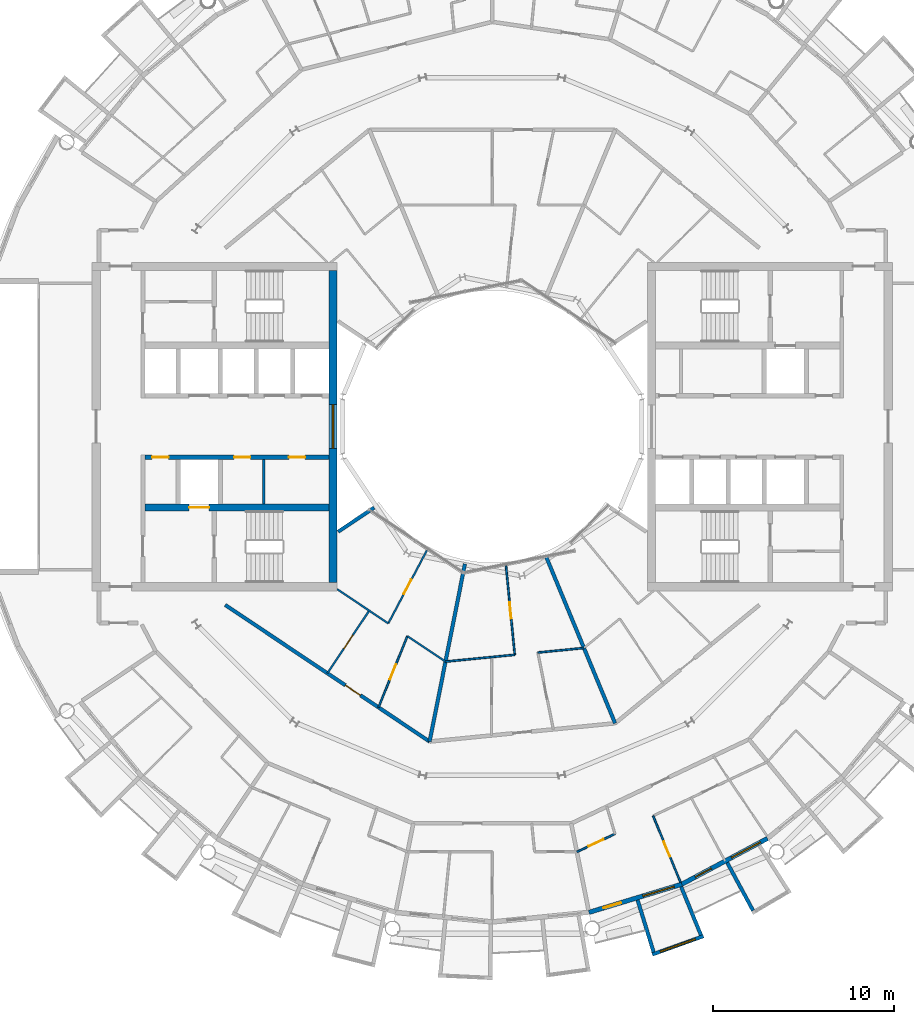
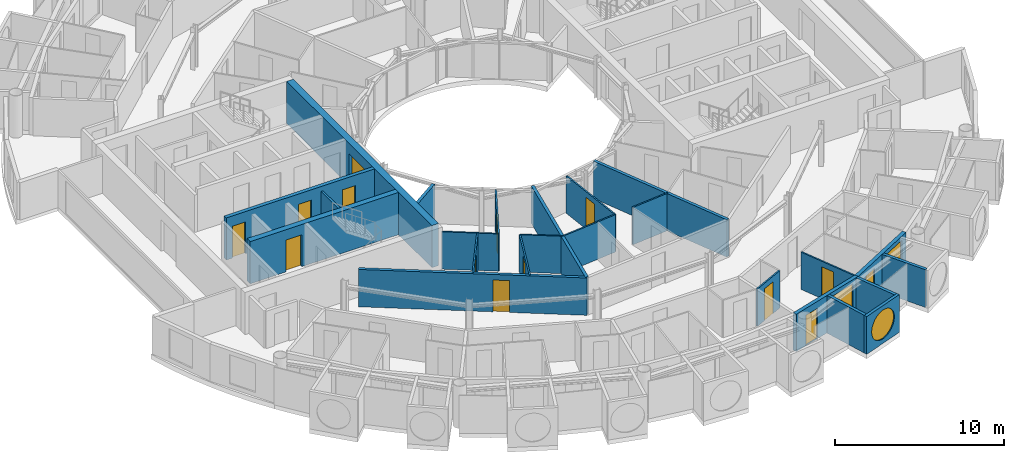
# One storey, part 17 of 29: 24 walls, 13 doors, 4 windows, 17 openings.
"""IFC4 building model written with IfcOpenShell, lengths in metres."""

from ifc_helpers import new_model, si_unit, direction, frame, frame_2d, origin, place, context, subcontext, project, spatial, rectangle, circle, extrude, material, layer, layer_set, type_object, element, fill, save


model = new_model("IFC4")

# Units and contexts
model_context = context("Model", 3, precision=1e-05, world=origin(), true_north=direction((0.0, 1.0)))
body_context = subcontext(model_context, "Body", "Model", "MODEL_VIEW")
ifc_project = project(units=[si_unit("LENGTHUNIT", "METRE"), si_unit("AREAUNIT", "SQUARE_METRE"), si_unit("VOLUMEUNIT", "CUBIC_METRE"), si_unit("PLANEANGLEUNIT", "RADIAN"), si_unit("MASSUNIT", "GRAM", prefix="KILO")], contexts=[model_context])

# Site, building, storey
site_placement = place(None, origin())
site = spatial("IfcSite", under=ifc_project, at=site_placement, CompositionType="ELEMENT")
building_placement = place(site_placement, origin())
building = spatial("IfcBuilding", under=site, at=building_placement, Name="Maasbend Ring Residences", CompositionType="ELEMENT")
storey_placement = place(building_placement, frame((0.0, 0.0, 215.75)))
storey = spatial("IfcBuildingStorey", under=building, at=storey_placement, Name="L62", CompositionType="ELEMENT", Elevation=215.75)

# Wall, openings, doors
ifc_material_1 = material(Name="Concrete C50/60", Category="concrete")
ifc_layer_1 = layer(ifc_material_1, 0.25)
ifc_layer_set_1 = layer_set([ifc_layer_1], Name="Concrete C50/60")
wall_type_1 = type_object("IfcWallType", Name="CORE WALL 250 C50/60", PredefinedType="SHEAR", material=ifc_layer_set_1)
wall_1_placement = place(storey_placement, frame((-9.0, -1.699951171875, 0.0), z_axis=(0.0, 0.0, 1.0), x_axis=(-1.0, 0.0, 0.0)))
wall_1 = element("IfcWall", 1, at=wall_1_placement, inside=storey, type_object=wall_type_1, Name="L62 core W wall SPN", PredefinedType="SHEAR", context=body_context, shape_type="SweptSolid", body=[
    extrude(rectangle(XDim=10.14990234375, YDim=0.25, at=frame_2d((5.074951171875, 0.0))), origin(), (0.0, 0.0, 1.0), 3.050048828125),
])
opening_1_placement = place(wall_1_placement, frame((1.3125, 0.0, 0.0)))
opening_1 = element("IfcOpeningElement", 2, at=opening_1_placement, cuts=wall_1, Name="Opening D-W6206", PredefinedType="OPENING", context=body_context, shape_type="SweptSolid", body=[
    extrude(rectangle(XDim=0.89990234375, YDim=2.300048828125, at=frame_2d((0.449951171875, 1.14990234375))), frame((0.0, 0.135009765625, 0.0), z_axis=(0.0, -1.0, 0.0), x_axis=(1.0, 0.0, 0.0)), (0.0, 0.0, 1.0), 0.27001953125),
])
opening_2_placement = place(wall_1_placement, frame((4.324951171875, 0.0, 0.0)))
opening_2 = element("IfcOpeningElement", 3, at=opening_2_placement, cuts=wall_1, Name="Opening D-W6207", PredefinedType="OPENING", context=body_context, shape_type="SweptSolid", body=[
    extrude(rectangle(XDim=0.89990234375, YDim=2.300048828125, at=frame_2d((0.449951171875, 1.14990234375))), frame((0.0, 0.135009765625, 0.0), z_axis=(0.0, -1.0, 0.0), x_axis=(1.0, 0.0, 0.0)), (0.0, 0.0, 1.0), 0.27001953125),
])
opening_3_placement = place(wall_1_placement, frame((8.83740234375, 0.0, 0.0)))
opening_3 = element("IfcOpeningElement", 4, at=opening_3_placement, cuts=wall_1, Name="Opening D-W6208", PredefinedType="OPENING", context=body_context, shape_type="SweptSolid", body=[
    extrude(rectangle(XDim=0.89990234375, YDim=2.300048828125, at=frame_2d((0.449951171875, 1.14990234375))), frame((0.0, 0.135009765625, 0.0), z_axis=(0.0, -1.0, 0.0), x_axis=(1.0, 0.0, 0.0)), (0.0, 0.0, 1.0), 0.27001953125),
])
ifc_material_2 = material(Name="Steel, powder coated", Category="steel")
door_type_1 = type_object("IfcDoorType", Name="ROOM DOOR 900 X 2300 FD30S", OperationType="NOTDEFINED", PredefinedType="DOOR", material=ifc_material_2)
door_1_placement = place(opening_1_placement, origin())
door_1 = element("IfcDoor", 5, at=door_1_placement, inside=storey, type_object=door_type_1, Name="Room door L62", OperationType="SINGLE_SWING_RIGHT", OverallHeight=2.300048828125, OverallWidth=0.89990234375, PredefinedType="DOOR", context=body_context, shape_type="SweptSolid", body=[
    extrude(rectangle(XDim=0.89990234375, YDim=2.300048828125, at=frame_2d((0.449951171875, 1.14990234375))), frame((0.0, 0.02490234375, 0.0), z_axis=(0.0, -1.0, 0.0), x_axis=(1.0, 0.0, 0.0)), (0.0, 0.0, 1.0), 0.050048828125),
])
fill(opening_1, door_1)
door_2_placement = place(opening_2_placement, origin())
door_2 = element("IfcDoor", 6, at=door_2_placement, inside=storey, type_object=door_type_1, Name="Room door L62", OperationType="SINGLE_SWING_RIGHT", OverallHeight=2.300048828125, OverallWidth=0.89990234375, PredefinedType="DOOR", context=body_context, shape_type="SweptSolid", body=[
    extrude(rectangle(XDim=0.89990234375, YDim=2.300048828125, at=frame_2d((0.449951171875, 1.14990234375))), frame((0.0, 0.02490234375, 0.0), z_axis=(0.0, -1.0, 0.0), x_axis=(1.0, 0.0, 0.0)), (0.0, 0.0, 1.0), 0.050048828125),
])
fill(opening_2, door_2)
door_3_placement = place(opening_3_placement, origin())
door_3 = element("IfcDoor", 7, at=door_3_placement, inside=storey, type_object=door_type_1, Name="Room door L62", OperationType="SINGLE_SWING_LEFT", OverallHeight=2.300048828125, OverallWidth=0.89990234375, PredefinedType="DOOR", context=body_context, shape_type="SweptSolid", body=[
    extrude(rectangle(XDim=0.89990234375, YDim=2.300048828125, at=frame_2d((0.449951171875, 1.14990234375))), frame((0.0, 0.02490234375, 0.0), z_axis=(0.0, -1.0, 0.0), x_axis=(1.0, 0.0, 0.0)), (0.0, 0.0, 1.0), 0.050048828125),
])
fill(opening_3, door_3)

# Wall, opening, door
ifc_material_3 = material(Name="Concrete C50/60", Category="concrete")
ifc_layer_2 = layer(ifc_material_3, 0.375)
ifc_layer_set_2 = layer_set([ifc_layer_2], Name="Concrete C50/60")
wall_type_2 = type_object("IfcWallType", Name="CORE WALL 375 C50/60", PredefinedType="SHEAR", material=ifc_layer_set_2)
wall_2_placement = place(storey_placement, frame((-9.0, -4.46240234375, 0.0), z_axis=(0.0, 0.0, 1.0), x_axis=(-1.0, 0.0, 0.0)))
wall_2 = element("IfcWall", 8, at=wall_2_placement, inside=storey, type_object=wall_type_2, Name="L62 core W wall BN", PredefinedType="SHEAR", context=body_context, shape_type="SweptSolid", body=[
    extrude(rectangle(XDim=10.14990234375, YDim=0.375, at=frame_2d((5.074951171875, 0.0))), origin(), (0.0, 0.0, 1.0), 3.050048828125),
])
opening_4_placement = place(wall_2_placement, frame((6.60009765625, 0.0, 0.0)))
opening_4 = element("IfcOpeningElement", 9, at=opening_4_placement, cuts=wall_2, Name="Opening LD-W6201", PredefinedType="OPENING", context=body_context, shape_type="SweptSolid", body=[
    extrude(rectangle(XDim=1.10009765625, YDim=2.300048828125, at=frame_2d((0.550048828125, 1.14990234375))), frame((0.0, 0.197509765625, 0.0), z_axis=(0.0, -1.0, 0.0), x_axis=(1.0, 0.0, 0.0)), (0.0, 0.0, 1.0), 0.39501953125),
])
ifc_material_4 = material(Name="Stainless steel 316", Category="steel")
door_type_2 = type_object("IfcDoorType", Name="LANDING DOOR 1100 X 2300 FD60", OperationType="DOUBLE_DOOR_SLIDING", PredefinedType="DOOR", material=ifc_material_4)
door_4_placement = place(opening_4_placement, origin())
door_4 = element("IfcDoor", 10, at=door_4_placement, inside=storey, type_object=door_type_2, Name="Landing door FF-W L62", OperationType="DOUBLE_DOOR_SLIDING", OverallHeight=2.300048828125, OverallWidth=1.10009765625, PredefinedType="DOOR", context=body_context, shape_type="SweptSolid", body=[
    extrude(rectangle(XDim=1.10009765625, YDim=2.300048828125, at=frame_2d((0.550048828125, 1.14990234375))), frame((0.0, 0.02490234375, 0.0), z_axis=(0.0, -1.0, 0.0), x_axis=(1.0, 0.0, 0.0)), (0.0, 0.0, 1.0), 0.050048828125),
])
fill(opening_4, door_4)

# Wall, opening, window
ifc_material_5 = material(Name="Concrete C50/60", Category="concrete")
ifc_layer_3 = layer(ifc_material_5, 0.449951171875)
ifc_layer_set_3 = layer_set([ifc_layer_3], Name="Concrete C50/60")
wall_type_3 = type_object("IfcWallType", Name="CORE WALL 450 C50/60", PredefinedType="SHEAR", material=ifc_layer_set_3)
wall_3_placement = place(storey_placement, frame((-8.77490234375, 8.60009765625, 0.0), z_axis=(0.0, 0.0, 1.0), x_axis=(0.0, -1.0, 0.0)))
wall_3 = element("IfcWall", 11, at=wall_3_placement, inside=storey, type_object=wall_type_3, Name="L62 core W wall PIN", PredefinedType="SHEAR", context=body_context, shape_type="SweptSolid", body=[
    extrude(rectangle(XDim=17.2001953125, YDim=0.449951171875, at=frame_2d((8.60009765625, 0.0))), origin(), (0.0, 0.0, 1.0), 3.050048828125),
])
opening_5_placement = place(wall_3_placement, frame((7.39990234375, 0.0, 0.10009765625)))
opening_5 = element("IfcOpeningElement", 12, at=opening_5_placement, cuts=wall_3, Name="Opening W-W6201", PredefinedType="OPENING", context=body_context, shape_type="SweptSolid", body=[
    extrude(rectangle(XDim=2.39990234375, YDim=2.199951171875, at=frame_2d((1.199951171875, 1.10009765625))), frame((0.0, 0.23486328125, 0.0), z_axis=(0.0, -1.0, 0.0), x_axis=(1.0, 0.0, 0.0)), (0.0, 0.0, 1.0), 0.469970703125),
])
ifc_material_6 = material(Name="Aluminium frame and clear glass", Category="aluminium")
window_type_1 = type_object("IfcWindowType", Name="FIXED WINDOW 2400 X 2200", PartitioningType="SINGLE_PANEL", PredefinedType="WINDOW", material=ifc_material_6)
window_1_placement = place(opening_5_placement, origin())
window_1 = element("IfcWindow", 13, at=window_1_placement, inside=storey, type_object=window_type_1, Name="Lobby window L62", OverallHeight=2.199951171875, OverallWidth=2.39990234375, PartitioningType="SINGLE_PANEL", PredefinedType="WINDOW", context=body_context, shape_type="SweptSolid", body=[
    extrude(rectangle(XDim=2.39990234375, YDim=2.199951171875, at=frame_2d((1.199951171875, 1.10009765625))), frame((0.0, 0.030029296875, 0.0), z_axis=(0.0, -1.0, 0.0), x_axis=(1.0, 0.0, 0.0)), (0.0, 0.0, 1.0), 0.06005859375),
])
fill(opening_5, window_1)

# Wall, opening, door
ifc_material_7 = material(Name="Concrete C30/37", Category="concrete")
ifc_layer_4 = layer(ifc_material_7, 0.199951171875)
ifc_layer_set_4 = layer_set([ifc_layer_4], Name="Concrete C30/37")
wall_type_4 = type_object("IfcWallType", Name="CORRIDOR WALL 200 CONCRETE", PredefinedType="PARTITIONING", material=ifc_layer_set_4)
wall_4_placement = place(storey_placement, frame((-14.717041015625, -9.833984375, 0.0), z_axis=(0.0, 0.0, 1.0), x_axis=(0.831492679744, -0.555535708603, 0.0)))
wall_4 = element("IfcWall", 14, at=wall_4_placement, inside=storey, type_object=wall_type_4, Name="U-L62-w022", PredefinedType="PARTITIONING", context=body_context, shape_type="SweptSolid", body=[
    extrude(rectangle(XDim=13.54931640625, YDim=0.199951171875, at=frame_2d((6.774658203125, 0.0))), origin(), (0.0, 0.0, 1.0), 2.699951171875),
])
opening_6_placement = place(wall_4_placement, frame((7.966064453125, 0.0, 0.0)))
opening_6 = element("IfcOpeningElement", 15, at=opening_6_placement, cuts=wall_4, Name="Opening D-6256", PredefinedType="OPENING", context=body_context, shape_type="SweptSolid", body=[
    extrude(rectangle(XDim=1.0, YDim=2.300048828125, at=frame_2d((0.5, 1.14990234375))), frame((0.0, 0.10986328125, 0.0), z_axis=(0.0, -1.0, 0.0), x_axis=(1.0, 0.0, 0.0)), (0.0, 0.0, 1.0), 0.219970703125),
])
ifc_material_8 = material(Name="Timber, fire-rated, painted", Category="wood")
door_type_3 = type_object("IfcDoorType", Name="FLAT ENTRANCE DOOR 1000 X 2300 FIRE-RATED", OperationType="NOTDEFINED", PredefinedType="DOOR", material=ifc_material_8)
door_5_placement = place(opening_6_placement, origin())
door_5 = element("IfcDoor", 16, at=door_5_placement, inside=storey, type_object=door_type_3, Name="D-6256", OperationType="SINGLE_SWING_RIGHT", OverallHeight=2.300048828125, OverallWidth=1.0, PredefinedType="DOOR", context=body_context, shape_type="SweptSolid", body=[
    extrude(rectangle(XDim=1.0, YDim=2.300048828125, at=frame_2d((0.5, 1.14990234375))), frame((0.0, 0.02490234375, 0.0), z_axis=(0.0, -1.0, 0.0), x_axis=(1.0, 0.0, 0.0)), (0.0, 0.0, 1.0), 0.050048828125),
])
fill(opening_6, door_5)

# Wall, opening, window
ifc_material_9 = material(Name="Pale anodised aluminium panel", Category="aluminium")
ifc_layer_5 = layer(ifc_material_9, 0.199951171875)
ifc_layer_set_5 = layer_set([ifc_layer_5], Name="EW-BOX")
wall_type_5 = type_object("IfcWallType", Name="EW-BOX", PredefinedType="SOLIDWALL", material=ifc_layer_set_5)
wall_5_placement = place(storey_placement, frame((8.820068359375, -29.093017578125, -0.030029296875), z_axis=(0.0, 0.0, 1.0), x_axis=(0.941461077774, 0.337121697664, 0.0)))
wall_5 = element("IfcWall", 17, at=wall_5_placement, inside=storey, type_object=wall_type_5, Name="Box front S14", PredefinedType="SOLIDWALL", context=body_context, shape_type="SweptSolid", body=[
    extrude(rectangle(XDim=2.9931640625, YDim=0.199951171875, at=frame_2d((1.49658203125, 0.0))), origin(), (0.0, 0.0, 1.0), 2.72998046875),
])
opening_7_placement = place(wall_5_placement, frame((0.45654296875, 0.0, 0.330078125)))
opening_7 = element("IfcOpeningElement", 18, at=opening_7_placement, cuts=wall_5, Name="Opening W-RD", PredefinedType="OPENING", context=body_context, shape_type="SweptSolid", body=[
    extrude(circle(Radius=1.0400390625, at=frame_2d((1.0400390625, 1.0400390625))), frame((0.0, 0.10986328125, 0.0), z_axis=(0.0, -1.0, 0.0), x_axis=(1.0, 0.0, 0.0)), (0.0, 0.0, 1.0), 0.219970703125),
])
ifc_material_10 = material(Name="Aluminium and clear glass", Category="aluminium")
window_type_2 = type_object("IfcWindowType", Name="W-RD", PartitioningType="SINGLE_PANEL", PredefinedType="WINDOW", material=ifc_material_10)
window_2_placement = place(opening_7_placement, origin())
window_2 = element("IfcWindow", 19, at=window_2_placement, inside=storey, type_object=window_type_2, Name="Round window S14", OverallHeight=2.080078125, OverallWidth=2.080078125, PartitioningType="SINGLE_PANEL", PredefinedType="WINDOW", context=body_context, shape_type="SweptSolid", body=[
    extrude(circle(Radius=1.0400390625, at=frame_2d((1.0400390625, 1.0400390625))), frame((0.0, 0.030029296875, 0.0), z_axis=(0.0, -1.0, 0.0), x_axis=(1.0, 0.0, 0.0)), (0.0, 0.0, 1.0), 0.06005859375),
])
fill(opening_7, window_2)

# Walls
wall_6_placement = place(storey_placement, frame((8.009033203125, -26.092041015625, -0.030029296875), z_axis=(0.0, 0.0, 1.0), x_axis=(0.293406695073, -0.955987715029, 0.0)))
element("IfcWall", 20, at=wall_6_placement, inside=storey, type_object=wall_type_5, Name="Box side wall S14 left", PredefinedType="SOLIDWALL", context=body_context, shape_type="SweptSolid", body=[
    extrude(rectangle(XDim=3.00634765625, YDim=0.199951171875, at=frame_2d((1.503173828125, 0.0))), origin(), (0.0, 0.0, 1.0), 2.72998046875),
])
wall_7_placement = place(storey_placement, frame((10.408935546875, -25.364013671875, -0.030029296875), z_axis=(0.0, 0.0, 1.0), x_axis=(0.379509886562, -0.925187681501, 0.0)))
element("IfcWall", 21, at=wall_7_placement, inside=storey, type_object=wall_type_5, Name="Box side wall S14 right", PredefinedType="SOLIDWALL", context=body_context, shape_type="SweptSolid", body=[
    extrude(rectangle(XDim=2.882568359375, YDim=0.199951171875, at=frame_2d((1.44140625, 0.0))), origin(), (0.0, 0.0, 1.0), 2.72998046875),
])
wall_8_placement = place(storey_placement, frame((12.945068359375, -24.029052734375, -0.030029296875), z_axis=(0.0, 0.0, 1.0), x_axis=(0.474424310775, -0.88029629861, 0.0)))
element("IfcWall", 22, at=wall_8_placement, inside=storey, type_object=wall_type_5, Name="Box side wall S16 left", PredefinedType="SOLIDWALL", context=body_context, shape_type="SweptSolid", body=[
    extrude(rectangle(XDim=3.005859375, YDim=0.199951171875, at=frame_2d((1.5029296875, 0.0))), origin(), (0.0, 0.0, 1.0), 2.72998046875),
])

# Wall, openings, door, window
ifc_material_11 = material(Name="Aluminium clad insulated panel", Category="aluminium")
ifc_layer_6 = layer(ifc_material_11, 0.25)
ifc_layer_set_6 = layer_set([ifc_layer_6], Name="EW-GL")
wall_type_6 = type_object("IfcWallType", Name="EW-GL", PredefinedType="SOLIDWALL", material=ifc_layer_set_6)
wall_9_placement = place(storey_placement, frame((5.325927734375, -26.77490234375, 0.0), z_axis=(0.0, 0.0, 1.0), x_axis=(0.956965678721, 0.290201119486, 0.0)))
wall_9 = element("IfcWall", 23, at=wall_9_placement, inside=storey, type_object=wall_type_6, Name="External wall S07", PredefinedType="SOLIDWALL", context=body_context, shape_type="SweptSolid", body=[
    extrude(rectangle(XDim=5.351318359375, YDim=0.25, at=frame_2d((2.67578125, 0.0))), origin(), (0.0, 0.0, 1.0), 2.699951171875),
])
opening_8_placement = place(wall_9_placement, frame((0.841064453125, 0.0, 0.0)))
opening_8 = element("IfcOpeningElement", 24, at=opening_8_placement, cuts=wall_9, Name="Opening D-LG", PredefinedType="OPENING", context=body_context, shape_type="SweptSolid", body=[
    extrude(rectangle(XDim=1.0, YDim=2.199951171875, at=frame_2d((0.5, 1.10009765625))), frame((0.0, 0.135009765625, 0.0), z_axis=(0.0, -1.0, 0.0), x_axis=(1.0, 0.0, 0.0)), (0.0, 0.0, 1.0), 0.27001953125),
])
opening_9_placement = place(wall_9_placement, frame((3.110595703125, 0.0, 0.300048828125)))
opening_9 = element("IfcOpeningElement", 25, at=opening_9_placement, cuts=wall_9, Name="Opening W-BX", PredefinedType="OPENING", context=body_context, shape_type="SweptSolid", body=[
    extrude(rectangle(XDim=1.800048828125, YDim=2.10009765625, at=frame_2d((0.89990234375, 1.050048828125))), frame((0.0, 0.135009765625, 0.0), z_axis=(0.0, -1.0, 0.0), x_axis=(1.0, 0.0, 0.0)), (0.0, 0.0, 1.0), 0.27001953125),
])
ifc_material_12 = material(Name="Aluminium and clear glass", Category="aluminium")
door_type_4 = type_object("IfcDoorType", Name="D-LG", OperationType="SINGLE_SWING_LEFT", PredefinedType="DOOR", material=ifc_material_12)
door_6_placement = place(opening_8_placement, origin())
door_6 = element("IfcDoor", 26, at=door_6_placement, inside=storey, type_object=door_type_4, Name="Loggia door S13", OperationType="SINGLE_SWING_LEFT", OverallHeight=2.199951171875, OverallWidth=1.0, PredefinedType="DOOR", context=body_context, shape_type="SweptSolid", body=[
    extrude(rectangle(XDim=1.0, YDim=2.199951171875, at=frame_2d((0.5, 1.10009765625))), frame((0.0, 0.02490234375, 0.0), z_axis=(0.0, -1.0, 0.0), x_axis=(1.0, 0.0, 0.0)), (0.0, 0.0, 1.0), 0.050048828125),
])
fill(opening_8, door_6)
ifc_material_13 = material(Name="Aluminium and clear glass", Category="aluminium")
window_type_3 = type_object("IfcWindowType", Name="W-BX", PartitioningType="DOUBLE_PANEL_VERTICAL", PredefinedType="WINDOW", material=ifc_material_13)
window_3_placement = place(opening_9_placement, origin())
window_3 = element("IfcWindow", 27, at=window_3_placement, inside=storey, type_object=window_type_3, Name="Window S14 room to box", OverallHeight=2.10009765625, OverallWidth=1.800048828125, PartitioningType="SINGLE_PANEL", PredefinedType="WINDOW", context=body_context, shape_type="SweptSolid", body=[
    extrude(rectangle(XDim=1.800048828125, YDim=2.10009765625, at=frame_2d((0.89990234375, 1.050048828125))), frame((0.0, 0.030029296875, 0.0), z_axis=(0.0, -1.0, 0.0), x_axis=(1.0, 0.0, 0.0)), (0.0, 0.0, 1.0), 0.06005859375),
])
fill(opening_9, window_3)

wall_10_placement = place(storey_placement, frame((10.447021484375, -25.221923828125, 0.0), z_axis=(0.0, 0.0, 1.0), x_axis=(0.881915646801, 0.471407246368, 0.0)))
wall_10 = element("IfcWall", 28, at=wall_10_placement, inside=storey, type_object=wall_type_6, Name="External wall S08", PredefinedType="SOLIDWALL", context=body_context, shape_type="SweptSolid", body=[
    extrude(rectangle(XDim=5.35205078125, YDim=0.25, at=frame_2d((2.676025390625, 0.0))), origin(), (0.0, 0.0, 1.0), 2.699951171875),
])
opening_10_placement = place(wall_10_placement, frame((0.841064453125, 0.0, 0.0)))
opening_10 = element("IfcOpeningElement", 29, at=opening_10_placement, cuts=wall_10, Name="Opening D-LG", PredefinedType="OPENING", context=body_context, shape_type="SweptSolid", body=[
    extrude(rectangle(XDim=1.0, YDim=2.199951171875, at=frame_2d((0.5, 1.10009765625))), frame((0.0, 0.135009765625, 0.0), z_axis=(0.0, -1.0, 0.0), x_axis=(1.0, 0.0, 0.0)), (0.0, 0.0, 1.0), 0.27001953125),
])
opening_11_placement = place(wall_10_placement, frame((3.110595703125, 0.0, 0.300048828125)))
opening_11 = element("IfcOpeningElement", 30, at=opening_11_placement, cuts=wall_10, Name="Opening W-BX", PredefinedType="OPENING", context=body_context, shape_type="SweptSolid", body=[
    extrude(rectangle(XDim=1.800048828125, YDim=2.10009765625, at=frame_2d((0.89990234375, 1.050048828125))), frame((0.0, 0.135009765625, 0.0), z_axis=(0.0, -1.0, 0.0), x_axis=(1.0, 0.0, 0.0)), (0.0, 0.0, 1.0), 0.27001953125),
])
door_7_placement = place(opening_10_placement, origin())
door_7 = element("IfcDoor", 31, at=door_7_placement, inside=storey, type_object=door_type_4, Name="Loggia door S15", OperationType="SINGLE_SWING_LEFT", OverallHeight=2.199951171875, OverallWidth=1.0, PredefinedType="DOOR", context=body_context, shape_type="SweptSolid", body=[
    extrude(rectangle(XDim=1.0, YDim=2.199951171875, at=frame_2d((0.5, 1.10009765625))), frame((0.0, 0.02490234375, 0.0), z_axis=(0.0, -1.0, 0.0), x_axis=(1.0, 0.0, 0.0)), (0.0, 0.0, 1.0), 0.050048828125),
])
fill(opening_10, door_7)
window_4_placement = place(opening_11_placement, origin())
window_4 = element("IfcWindow", 32, at=window_4_placement, inside=storey, type_object=window_type_3, Name="Window S16 room to box", OverallHeight=2.10009765625, OverallWidth=1.800048828125, PartitioningType="SINGLE_PANEL", PredefinedType="WINDOW", context=body_context, shape_type="SweptSolid", body=[
    extrude(rectangle(XDim=1.800048828125, YDim=2.10009765625, at=frame_2d((0.89990234375, 1.050048828125))), frame((0.0, 0.030029296875, 0.0), z_axis=(0.0, -1.0, 0.0), x_axis=(1.0, 0.0, 0.0)), (0.0, 0.0, 1.0), 0.06005859375),
])
fill(opening_11, window_4)

# Wall, opening, door
ifc_material_14 = material(Name="Gypsum board on steel studs", Category="steel")
ifc_layer_7 = layer(ifc_material_14, 0.10009765625)
ifc_layer_set_7 = layer_set([ifc_layer_7], Name="PARTITION 100 GYPSUM")
wall_type_7 = type_object("IfcWallType", Name="PARTITION 100 GYPSUM", PredefinedType="PARTITIONING", material=ifc_layer_set_7)
wall_11_placement = place(storey_placement, frame((4.6630859375, -23.44091796875, 0.0), z_axis=(0.0, 0.0, 1.0), x_axis=(0.904028696625, 0.427471771791, 0.0)))
wall_11 = element("IfcWall", 33, at=wall_11_placement, inside=storey, type_object=wall_type_7, Name="U-L62-w009", PredefinedType="PARTITIONING", context=body_context, shape_type="SweptSolid", body=[
    extrude(rectangle(XDim=2.32275390625, YDim=0.10009765625, at=frame_2d((1.161376953125, 0.0))), origin(), (0.0, 0.0, 1.0), 2.699951171875),
])
opening_12_placement = place(wall_11_placement, frame((0.7109375, 0.0, 0.0)))
opening_12 = element("IfcOpeningElement", 34, at=opening_12_placement, cuts=wall_11, Name="Opening D-6248", PredefinedType="OPENING", context=body_context, shape_type="SweptSolid", body=[
    extrude(rectangle(XDim=0.89990234375, YDim=2.300048828125, at=frame_2d((0.449951171875, 1.14990234375))), frame((0.0, 0.06005859375, 0.0), z_axis=(0.0, -1.0, 0.0), x_axis=(1.0, 0.0, 0.0)), (0.0, 0.0, 1.0), 0.1201171875),
])
ifc_material_15 = material(Name="Timber, painted", Category="wood")
door_type_5 = type_object("IfcDoorType", Name="INTERNAL DOOR 900 X 2300", OperationType="NOTDEFINED", PredefinedType="DOOR", material=ifc_material_15)
door_8_placement = place(opening_12_placement, origin())
door_8 = element("IfcDoor", 35, at=door_8_placement, inside=storey, type_object=door_type_5, Name="D-6248", OperationType="SINGLE_SWING_LEFT", OverallHeight=2.300048828125, OverallWidth=0.89990234375, PredefinedType="DOOR", context=body_context, shape_type="SweptSolid", body=[
    extrude(rectangle(XDim=0.89990234375, YDim=2.300048828125, at=frame_2d((0.449951171875, 1.14990234375))), frame((0.0, 0.02490234375, 0.0), z_axis=(0.0, -1.0, 0.0), x_axis=(1.0, 0.0, 0.0)), (0.0, 0.0, 1.0), 0.050048828125),
])
fill(opening_12, door_8)

# Walls
wall_12_placement = place(storey_placement, frame((-2.580078125, -12.955078125, 0.0), z_axis=(0.0, 0.0, 1.0), x_axis=(0.995206557747, 0.097795232084, 0.0)))
element("IfcWall", 36, at=wall_12_placement, inside=storey, type_object=wall_type_7, Name="U-L62-w023", PredefinedType="PARTITIONING", context=body_context, shape_type="SweptSolid", body=[
    extrude(rectangle(XDim=3.83447265625, YDim=0.10009765625, at=frame_2d((1.917236328125, 0.0))), origin(), (0.0, 0.0, 1.0), 2.699951171875),
])
wall_13_placement = place(storey_placement, frame((2.510986328125, -12.455078125, 0.0), z_axis=(0.0, 0.0, 1.0), x_axis=(0.995205948766, 0.09780142913, 0.0)))
element("IfcWall", 37, at=wall_13_placement, inside=storey, type_object=wall_type_7, Name="U-L62-w024", PredefinedType="PARTITIONING", context=body_context, shape_type="SweptSolid", body=[
    extrude(rectangle(XDim=2.55615234375, YDim=0.10009765625, at=frame_2d((1.278076171875, 0.0))), origin(), (0.0, 0.0, 1.0), 2.699951171875),
])
wall_14_placement = place(storey_placement, frame((-8.549072265625, -8.965087890625, 0.0), z_axis=(0.0, 0.0, 1.0), x_axis=(0.831463102602, -0.555579975352, 0.0)))
element("IfcWall", 38, at=wall_14_placement, inside=storey, type_object=wall_type_7, Name="U-L62-w027", PredefinedType="PARTITIONING", context=body_context, shape_type="SweptSolid", body=[
    extrude(rectangle(XDim=3.392822265625, YDim=0.10009765625, at=frame_2d((1.6962890625, 0.0))), origin(), (0.0, 0.0, 1.0), 2.699951171875),
])
wall_15_placement = place(storey_placement, frame((-4.677001953125, -11.552001953125, 0.0), z_axis=(0.0, 0.0, 1.0), x_axis=(0.83155963659, -0.555435478517, 0.0)))
element("IfcWall", 39, at=wall_15_placement, inside=storey, type_object=wall_type_7, Name="U-L62-w028", PredefinedType="PARTITIONING", context=body_context, shape_type="SweptSolid", body=[
    extrude(rectangle(XDim=2.52783203125, YDim=0.10009765625, at=frame_2d((1.263916015625, 0.0))), origin(), (0.0, 0.0, 1.0), 2.699951171875),
])

# Wall, opening, door
wall_16_placement = place(storey_placement, frame((-9.0849609375, -13.596923828125, 0.0), z_axis=(0.0, 0.0, 1.0), x_axis=(0.555528237031, 0.831497671591, 0.0)))
wall_16 = element("IfcWall", 40, at=wall_16_placement, inside=storey, type_object=wall_type_7, Name="U-L62-w052", PredefinedType="PARTITIONING", context=body_context, shape_type="SweptSolid", body=[
    extrude(rectangle(XDim=4.149169921875, YDim=0.10009765625, at=frame_2d((2.07470703125, 0.0))), origin(), (0.0, 0.0, 1.0), 2.699951171875),
])
opening_13_placement = place(wall_16_placement, frame((1.625, 0.0, 0.0)))
opening_13 = element("IfcOpeningElement", 41, at=opening_13_placement, cuts=wall_16, Name="Opening D-6258", PredefinedType="OPENING", context=body_context, shape_type="SweptSolid", body=[
    extrude(rectangle(XDim=0.89990234375, YDim=2.300048828125, at=frame_2d((0.449951171875, 1.14990234375))), frame((0.0, 0.06005859375, 0.0), z_axis=(0.0, -1.0, 0.0), x_axis=(1.0, 0.0, 0.0)), (0.0, 0.0, 1.0), 0.1201171875),
])
door_9_placement = place(opening_13_placement, origin())
door_9 = element("IfcDoor", 42, at=door_9_placement, inside=storey, type_object=door_type_5, Name="D-6258", OperationType="SINGLE_SWING_LEFT", OverallHeight=2.300048828125, OverallWidth=0.89990234375, PredefinedType="DOOR", context=body_context, shape_type="SweptSolid", body=[
    extrude(rectangle(XDim=0.89990234375, YDim=2.300048828125, at=frame_2d((0.449951171875, 1.14990234375))), frame((0.0, 0.02490234375, 0.0), z_axis=(0.0, -1.0, 0.0), x_axis=(1.0, 0.0, 0.0)), (0.0, 0.0, 1.0), 0.050048828125),
])
fill(opening_13, door_9)

wall_17_placement = place(storey_placement, frame((-6.26904296875, -15.47802734375, 0.0), z_axis=(0.0, 0.0, 1.0), x_axis=(0.375509828455, 0.926818411952, 0.0)))
wall_17 = element("IfcWall", 43, at=wall_17_placement, inside=storey, type_object=wall_type_7, Name="U-L62-w056", PredefinedType="PARTITIONING", context=body_context, shape_type="SweptSolid", body=[
    extrude(rectangle(XDim=4.237060546875, YDim=0.10009765625, at=frame_2d((2.11865234375, 0.0))), origin(), (0.0, 0.0, 1.0), 2.699951171875),
])
opening_14_placement = place(wall_17_placement, frame((1.6689453125, 0.0, 0.0)))
opening_14 = element("IfcOpeningElement", 44, at=opening_14_placement, cuts=wall_17, Name="Opening D-6257", PredefinedType="OPENING", context=body_context, shape_type="SweptSolid", body=[
    extrude(rectangle(XDim=0.89990234375, YDim=2.300048828125, at=frame_2d((0.449951171875, 1.14990234375))), frame((0.0, 0.06005859375, 0.0), z_axis=(0.0, -1.0, 0.0), x_axis=(1.0, 0.0, 0.0)), (0.0, 0.0, 1.0), 0.1201171875),
])
door_10_placement = place(opening_14_placement, origin())
door_10 = element("IfcDoor", 45, at=door_10_placement, inside=storey, type_object=door_type_5, Name="D-6257", OperationType="SINGLE_SWING_LEFT", OverallHeight=2.300048828125, OverallWidth=0.89990234375, PredefinedType="DOOR", context=body_context, shape_type="SweptSolid", body=[
    extrude(rectangle(XDim=0.89990234375, YDim=2.300048828125, at=frame_2d((0.449951171875, 1.14990234375))), frame((0.0, 0.02490234375, 0.0), z_axis=(0.0, -1.0, 0.0), x_axis=(1.0, 0.0, 0.0)), (0.0, 0.0, 1.0), 0.050048828125),
])
fill(opening_14, door_10)

wall_18_placement = place(storey_placement, frame((-5.72900390625, -10.84912109375, 0.0), z_axis=(0.0, 0.0, 1.0), x_axis=(0.466962677975, 0.884277025246, 0.0)))
wall_18 = element("IfcWall", 46, at=wall_18_placement, inside=storey, type_object=wall_type_7, Name="U-L62-w057", PredefinedType="PARTITIONING", context=body_context, shape_type="SweptSolid", body=[
    extrude(rectangle(XDim=4.548583984375, YDim=0.10009765625, at=frame_2d((2.2744140625, 0.0))), origin(), (0.0, 0.0, 1.0), 2.699951171875),
])
opening_15_placement = place(wall_18_placement, frame((1.823974609375, 0.0, 0.0)))
opening_15 = element("IfcOpeningElement", 47, at=opening_15_placement, cuts=wall_18, Name="Opening D-6259", PredefinedType="OPENING", context=body_context, shape_type="SweptSolid", body=[
    extrude(rectangle(XDim=0.89990234375, YDim=2.300048828125, at=frame_2d((0.449951171875, 1.14990234375))), frame((0.0, 0.06005859375, 0.0), z_axis=(0.0, -1.0, 0.0), x_axis=(1.0, 0.0, 0.0)), (0.0, 0.0, 1.0), 0.1201171875),
])
door_11_placement = place(opening_15_placement, origin())
door_11 = element("IfcDoor", 48, at=door_11_placement, inside=storey, type_object=door_type_5, Name="D-6259", OperationType="SINGLE_SWING_RIGHT", OverallHeight=2.300048828125, OverallWidth=0.89990234375, PredefinedType="DOOR", context=body_context, shape_type="SweptSolid", body=[
    extrude(rectangle(XDim=0.89990234375, YDim=2.300048828125, at=frame_2d((0.449951171875, 1.14990234375))), frame((0.0, 0.02490234375, 0.0), z_axis=(0.0, -1.0, 0.0), x_axis=(1.0, 0.0, 0.0)), (0.0, 0.0, 1.0), 0.050048828125),
])
fill(opening_15, door_11)

wall_19_placement = place(storey_placement, frame((0.757080078125, -7.68310546875, 0.0), z_axis=(0.0, 0.0, 1.0), x_axis=(0.097960786067, -0.995190275472, 0.0)))
wall_19 = element("IfcWall", 49, at=wall_19_placement, inside=storey, type_object=wall_type_7, Name="U-L62-w067", PredefinedType="PARTITIONING", context=body_context, shape_type="SweptSolid", body=[
    extrude(rectangle(XDim=4.919677734375, YDim=0.10009765625, at=frame_2d((2.4599609375, 0.0))), origin(), (0.0, 0.0, 1.0), 2.699951171875),
])
opening_16_placement = place(wall_19_placement, frame((2.010009765625, 0.0, 0.0)))
opening_16 = element("IfcOpeningElement", 50, at=opening_16_placement, cuts=wall_19, Name="Opening D-6263", PredefinedType="OPENING", context=body_context, shape_type="SweptSolid", body=[
    extrude(rectangle(XDim=0.89990234375, YDim=2.300048828125, at=frame_2d((0.449951171875, 1.14990234375))), frame((0.0, 0.06005859375, 0.0), z_axis=(0.0, -1.0, 0.0), x_axis=(1.0, 0.0, 0.0)), (0.0, 0.0, 1.0), 0.1201171875),
])
door_12_placement = place(opening_16_placement, origin())
door_12 = element("IfcDoor", 51, at=door_12_placement, inside=storey, type_object=door_type_5, Name="D-6263", OperationType="SINGLE_SWING_LEFT", OverallHeight=2.300048828125, OverallWidth=0.89990234375, PredefinedType="DOOR", context=body_context, shape_type="SweptSolid", body=[
    extrude(rectangle(XDim=0.89990234375, YDim=2.300048828125, at=frame_2d((0.449951171875, 1.14990234375))), frame((0.0, 0.02490234375, 0.0), z_axis=(0.0, -1.0, 0.0), x_axis=(1.0, 0.0, 0.0)), (0.0, 0.0, 1.0), 0.050048828125),
])
fill(opening_16, door_12)

wall_20_placement = place(storey_placement, frame((8.862060546875, -21.4541015625, 0.0), z_axis=(0.0, 0.0, 1.0), x_axis=(0.381852842178, -0.924223136975, 0.0)))
wall_20 = element("IfcWall", 52, at=wall_20_placement, inside=storey, type_object=wall_type_7, Name="U-L62-w082", PredefinedType="PARTITIONING", context=body_context, shape_type="SweptSolid", body=[
    extrude(rectangle(XDim=3.962158203125, YDim=0.10009765625, at=frame_2d((1.98095703125, 0.0))), origin(), (0.0, 0.0, 1.0), 2.699951171875),
])
opening_17_placement = place(wall_20_placement, frame((1.531005859375, 0.0, 0.0)))
opening_17 = element("IfcOpeningElement", 53, at=opening_17_placement, cuts=wall_20, Name="Opening D-6250", PredefinedType="OPENING", context=body_context, shape_type="SweptSolid", body=[
    extrude(rectangle(XDim=0.89990234375, YDim=2.300048828125, at=frame_2d((0.449951171875, 1.14990234375))), frame((0.0, 0.06005859375, 0.0), z_axis=(0.0, -1.0, 0.0), x_axis=(1.0, 0.0, 0.0)), (0.0, 0.0, 1.0), 0.1201171875),
])
door_13_placement = place(opening_17_placement, origin())
door_13 = element("IfcDoor", 54, at=door_13_placement, inside=storey, type_object=door_type_5, Name="D-6250", OperationType="SINGLE_SWING_LEFT", OverallHeight=2.300048828125, OverallWidth=0.89990234375, PredefinedType="DOOR", context=body_context, shape_type="SweptSolid", body=[
    extrude(rectangle(XDim=0.89990234375, YDim=2.300048828125, at=frame_2d((0.449951171875, 1.14990234375))), frame((0.0, 0.02490234375, 0.0), z_axis=(0.0, -1.0, 0.0), x_axis=(1.0, 0.0, 0.0)), (0.0, 0.0, 1.0), 0.050048828125),
])
fill(opening_17, door_13)

# Walls
ifc_material_16 = material(Name="Gypsum board on steel studs", Category="steel")
ifc_layer_8 = layer(ifc_material_16, 0.14990234375)
ifc_layer_set_8 = layer_set([ifc_layer_8], Name="PARTITION 150 EI 60")
wall_type_8 = type_object("IfcWallType", Name="PARTITION 150 EI 60", PredefinedType="PARTITIONING", material=ifc_layer_set_8)
wall_21_placement = place(storey_placement, frame((-12.60009765625, -1.824951171875, 0.0), z_axis=(0.0, 0.0, 1.0), x_axis=(0.0, -1.0, 0.0)))
element("IfcWall", 55, at=wall_21_placement, inside=storey, type_object=wall_type_8, Name="L62 core W wall PRN1260", PredefinedType="PARTITIONING", context=body_context, shape_type="SweptSolid", body=[
    extrude(rectangle(XDim=2.449951171875, YDim=0.14990234375, at=frame_2d((1.22509765625, 0.0))), origin(), (0.0, 0.0, 1.0), 2.699951171875),
])
ifc_material_17 = material(Name="Concrete C30/37", Category="concrete")
ifc_layer_9 = layer(ifc_material_17, 0.199951171875)
ifc_layer_set_9 = layer_set([ifc_layer_9], Name="Concrete C30/37")
wall_type_9 = type_object("IfcWallType", Name="PARTY WALL 200 CONCRETE", PredefinedType="PARTITIONING", material=ifc_layer_set_9)
wall_22_placement = place(storey_placement, frame((-6.512939453125, -4.471923828125, 0.0), z_axis=(0.0, 0.0, 1.0), x_axis=(-0.831403409976, -0.555669299026, 0.0)))
element("IfcWall", 56, at=wall_22_placement, inside=storey, type_object=wall_type_9, Name="U-L62-w031", PredefinedType="PARTITIONING", context=body_context, shape_type="SweptSolid", body=[
    extrude(rectangle(XDim=2.382568359375, YDim=0.199951171875, at=frame_2d((1.19140625, 0.0))), origin(), (0.0, 0.0, 1.0), 2.699951171875),
])
wall_23_placement = place(storey_placement, frame((-3.452880859375, -17.360107421875, 0.0), z_axis=(0.0, 0.0, 1.0), x_axis=(0.19507162238, 0.980788999807, 0.0)))
element("IfcWall", 57, at=wall_23_placement, inside=storey, type_object=wall_type_9, Name="U-L62-w060", PredefinedType="PARTITIONING", context=body_context, shape_type="SweptSolid", body=[
    extrude(rectangle(XDim=9.979736328125, YDim=0.199951171875, at=frame_2d((4.98974609375, 0.0))), origin(), (0.0, 0.0, 1.0), 2.699951171875),
])
wall_24_placement = place(storey_placement, frame((2.951904296875, -7.133056640625, 0.0), z_axis=(0.0, 0.0, 1.0), x_axis=(0.382570007985, -0.923926506271, 0.0)))
element("IfcWall", 58, at=wall_24_placement, inside=storey, type_object=wall_type_9, Name="U-L62-w073", PredefinedType="PARTITIONING", context=body_context, shape_type="SweptSolid", body=[
    extrude(rectangle(XDim=9.980224609375, YDim=0.199951171875, at=frame_2d((4.990234375, 0.0))), origin(), (0.0, 0.0, 1.0), 2.699951171875),
])

save(model, "model.ifc")
